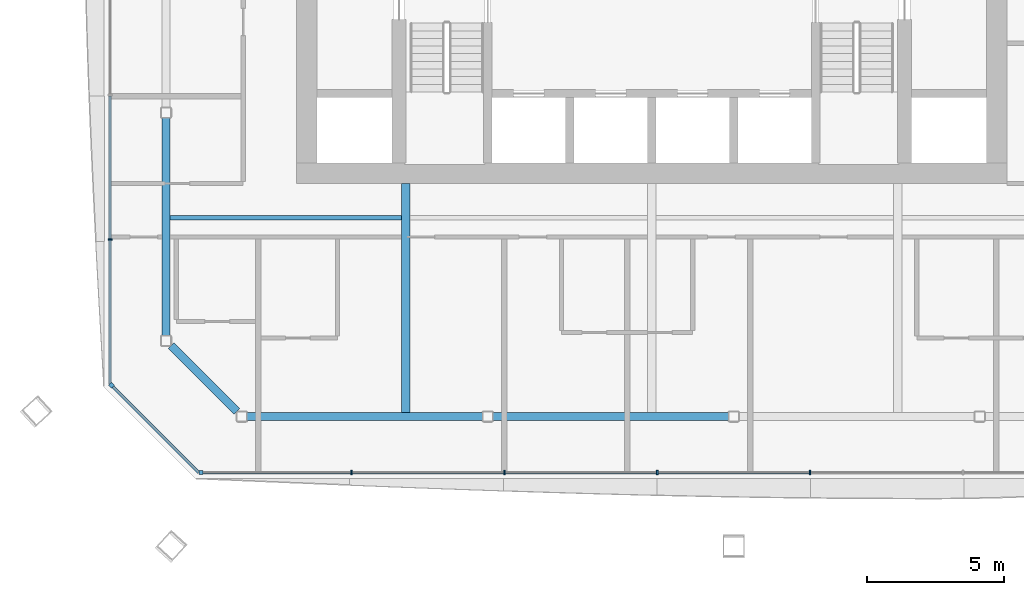
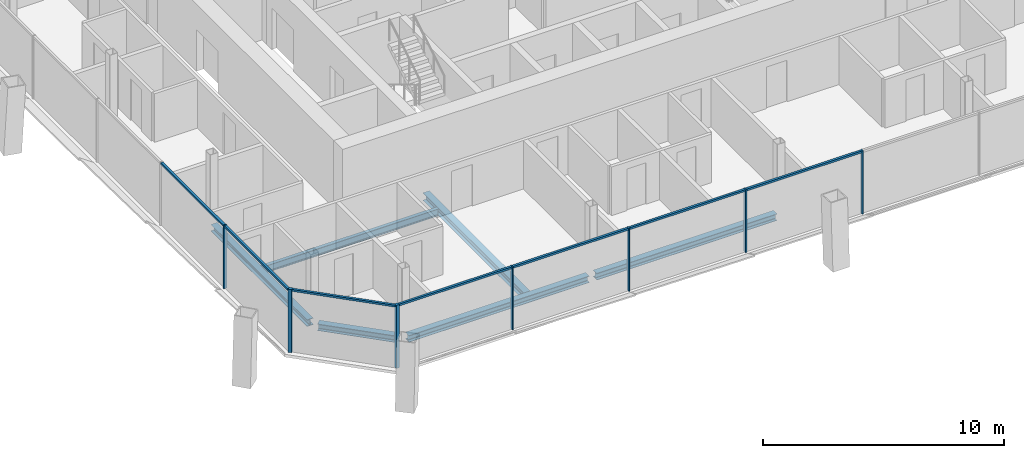
# One storey, part 3 of 21: 14 members, 6 beams, 3 elements without a shape of their own.
"""IFC4 building model written with IfcOpenShell, lengths in metres."""

from ifc_helpers import new_model, si_unit, direction, frame, origin, origin_2d, place, context, subcontext, project, spatial, rectangle, i_section, extrude, material, material_profile, profile_set, type_object, element, aggregate, save


model = new_model("IFC4")

# Units and contexts
model_context = context("Model", 3, precision=1e-05, world=origin(), true_north=direction((0.0, 1.0)))
body_context = subcontext(model_context, "Body", "Model", "MODEL_VIEW")
ifc_project = project(units=[si_unit("LENGTHUNIT", "METRE"), si_unit("AREAUNIT", "SQUARE_METRE"), si_unit("VOLUMEUNIT", "CUBIC_METRE"), si_unit("PLANEANGLEUNIT", "RADIAN"), si_unit("MASSUNIT", "GRAM", prefix="KILO")], contexts=[model_context])

# Site, building, storey
site_placement = place(None, origin())
site = spatial("IfcSite", under=ifc_project, at=site_placement, CompositionType="ELEMENT")
building_placement = place(site_placement, origin())
building = spatial("IfcBuilding", under=site, at=building_placement, Name="Tskaro Facet Tower", CompositionType="ELEMENT")
storey_placement = place(building_placement, frame((0.0, 0.0, 138.5)))
storey = spatial("IfcBuildingStorey", under=building, at=storey_placement, Name="L33", CompositionType="ELEMENT", Elevation=138.5)

# Curtain wall, member
ifc_material_1 = material(Name="Bronze anodised aluminium 6063-T6", Category="aluminium")
curtain_wall_type = type_object("IfcCurtainWallType", Name="Bronze hotel curtain wall (FW2)", PredefinedType="NOTDEFINED", material=ifc_material_1)
curtain_wall_1_placement = place(storey_placement, origin())
curtain_wall_1 = element("IfcCurtainWall", 1, at=curtain_wall_1_placement, inside=storey, type_object=curtain_wall_type, Name="FW2 south facet L33", PredefinedType="NOTDEFINED")
ifc_material_profile_1 = material_profile(ifc_material_1, rectangle(XDim=0.14990234375, YDim=0.14990234375, at=origin_2d()), Name="Corner post 150x150")
ifc_profile_set_1 = profile_set([ifc_material_profile_1], Name="Bronze anodised aluminium 6063-T6")
member_type_1 = type_object("IfcMemberType", Name="FW2 bronze corner post 150x150", PredefinedType="MULLION", material=ifc_profile_set_1)
member_1_placement = place(storey_placement, frame((-16.4990234375, -22.820068359375, 0.0), z_axis=(0.0, 0.0, 1.0), x_axis=(1.0, 0.0, 0.0)))
member_1 = element("IfcMember", 2, at=member_1_placement, type_object=member_type_1, Name="FW2 south corner post", PredefinedType="MULLION", context=body_context, shape_type="SweptSolid", body=[
    extrude(rectangle(XDim=0.14990234375, YDim=0.14990234375, at=origin_2d()), origin(), (0.0, 0.0, 1.0), 3.199951171875),
])

curtain_wall_2_placement = place(storey_placement, origin())
curtain_wall_2 = element("IfcCurtainWall", 3, at=curtain_wall_2_placement, inside=storey, type_object=curtain_wall_type, Name="FW2 south-west facet L33", PredefinedType="NOTDEFINED")
member_2_placement = place(storey_placement, frame((-19.766845703125, -19.626953125, 0.0), z_axis=(0.0, 0.0, 1.0), x_axis=(0.707106781187, -0.707106781187, 0.0)))
member_2 = element("IfcMember", 4, at=member_2_placement, type_object=member_type_1, Name="FW2 south-west corner post", PredefinedType="MULLION", context=body_context, shape_type="SweptSolid", body=[
    extrude(rectangle(XDim=0.14990234375, YDim=0.14990234375, at=origin_2d()), origin(), (0.0, 0.0, 1.0), 3.199951171875),
])

# Member
ifc_material_profile_2 = material_profile(ifc_material_1, rectangle(XDim=0.06005859375, YDim=0.14990234375, at=origin_2d()), Name="Mullion 60x150")
ifc_profile_set_2 = profile_set([ifc_material_profile_2], Name="Bronze anodised aluminium 6063-T6")
member_type_2 = type_object("IfcMemberType", Name="FW2 bronze mullion 60x150", PredefinedType="MULLION", material=ifc_profile_set_2)
member_3_placement = place(storey_placement, frame((-10.9814453125, -22.820068359375, 0.0), z_axis=(0.0, 0.0, 1.0), x_axis=(1.0, 0.0, 0.0)))
member_3 = element("IfcMember", 5, at=member_3_placement, type_object=member_type_2, Name="FW2 south mullion 1", PredefinedType="MULLION", context=body_context, shape_type="SweptSolid", body=[
    extrude(rectangle(XDim=0.06005859375, YDim=0.14990234375, at=origin_2d()), origin(), (0.0, 0.0, 1.0), 3.199951171875),
])

member_4_placement = place(storey_placement, frame((-5.388916015625, -22.820068359375, 0.0), z_axis=(0.0, 0.0, 1.0), x_axis=(1.0, 0.0, 0.0)))
member_4 = element("IfcMember", 6, at=member_4_placement, type_object=member_type_2, Name="FW2 south mullion 2", PredefinedType="MULLION", context=body_context, shape_type="SweptSolid", body=[
    extrude(rectangle(XDim=0.06005859375, YDim=0.14990234375, at=origin_2d()), origin(), (0.0, 0.0, 1.0), 3.199951171875),
])

member_5_placement = place(storey_placement, frame((0.20361328125, -22.820068359375, 0.0), z_axis=(0.0, 0.0, 1.0), x_axis=(1.0, 0.0, 0.0)))
member_5 = element("IfcMember", 7, at=member_5_placement, type_object=member_type_2, Name="FW2 south mullion 3", PredefinedType="MULLION", context=body_context, shape_type="SweptSolid", body=[
    extrude(rectangle(XDim=0.06005859375, YDim=0.14990234375, at=origin_2d()), origin(), (0.0, 0.0, 1.0), 3.199951171875),
])

member_6_placement = place(storey_placement, frame((5.79638671875, -22.820068359375, 0.0), z_axis=(0.0, 0.0, 1.0), x_axis=(1.0, 0.0, 0.0)))
member_6 = element("IfcMember", 8, at=member_6_placement, type_object=member_type_2, Name="FW2 south mullion 4", PredefinedType="MULLION", context=body_context, shape_type="SweptSolid", body=[
    extrude(rectangle(XDim=0.06005859375, YDim=0.14990234375, at=origin_2d()), origin(), (0.0, 0.0, 1.0), 3.199951171875),
])

# Curtain wall, member
curtain_wall_3_placement = place(storey_placement, origin())
curtain_wall_3 = element("IfcCurtainWall", 9, at=curtain_wall_3_placement, inside=storey, type_object=curtain_wall_type, Name="FW2 west facet L33", PredefinedType="NOTDEFINED")
member_7_placement = place(storey_placement, frame((-19.820068359375, -14.288818359375, 0.0), z_axis=(0.0, 0.0, 1.0), x_axis=(0.0, -1.0, 0.0)))
member_7 = element("IfcMember", 10, at=member_7_placement, type_object=member_type_2, Name="FW2 west mullion 6", PredefinedType="MULLION", context=body_context, shape_type="SweptSolid", body=[
    extrude(rectangle(XDim=0.06005859375, YDim=0.14990234375, at=origin_2d()), origin(), (0.0, 0.0, 1.0), 3.199951171875),
])

# Member
ifc_material_profile_3 = material_profile(ifc_material_1, rectangle(XDim=0.110107421875, YDim=0.10009765625, at=origin_2d()), Name="Transom 110x100")
ifc_profile_set_3 = profile_set([ifc_material_profile_3], Name="Bronze anodised aluminium 6063-T6")
member_type_3 = type_object("IfcMemberType", Name="FW2 bronze transom 110x100", PredefinedType="USERDEFINED", material=ifc_profile_set_3)
member_8_placement = place(storey_placement, frame((-16.424072265625, -22.820068359375, 3.14990234375), z_axis=(1.0, 0.0, 0.0), x_axis=(0.0, 1.0, 0.0)))
member_8 = element("IfcMember", 11, at=member_8_placement, type_object=member_type_3, Name="FW2 south transom 1.1", ObjectType="TRANSOM", PredefinedType="USERDEFINED", context=body_context, shape_type="SweptSolid", body=[
    extrude(rectangle(XDim=0.110107421875, YDim=0.10009765625, at=origin_2d()), origin(), (0.0, 0.0, 1.0), 5.41259765625),
])

member_9_placement = place(storey_placement, frame((-10.951416015625, -22.820068359375, 3.14990234375), z_axis=(1.0, 0.0, 0.0), x_axis=(0.0, 1.0, 0.0)))
member_9 = element("IfcMember", 12, at=member_9_placement, type_object=member_type_3, Name="FW2 south transom 2.1", ObjectType="TRANSOM", PredefinedType="USERDEFINED", context=body_context, shape_type="SweptSolid", body=[
    extrude(rectangle(XDim=0.110107421875, YDim=0.10009765625, at=origin_2d()), origin(), (0.0, 0.0, 1.0), 5.532470703125),
])

member_10_placement = place(storey_placement, frame((-5.35888671875, -22.820068359375, 3.14990234375), z_axis=(1.0, 0.0, 0.0), x_axis=(0.0, 1.0, 0.0)))
member_10 = element("IfcMember", 13, at=member_10_placement, type_object=member_type_3, Name="FW2 south transom 3.1", ObjectType="TRANSOM", PredefinedType="USERDEFINED", context=body_context, shape_type="SweptSolid", body=[
    extrude(rectangle(XDim=0.110107421875, YDim=0.10009765625, at=origin_2d()), origin(), (0.0, 0.0, 1.0), 5.53271484375),
])

member_11_placement = place(storey_placement, frame((0.233642578125, -22.820068359375, 3.14990234375), z_axis=(1.0, 0.0, 0.0), x_axis=(0.0, 1.0, 0.0)))
member_11 = element("IfcMember", 14, at=member_11_placement, type_object=member_type_3, Name="FW2 south transom 4.1", ObjectType="TRANSOM", PredefinedType="USERDEFINED", context=body_context, shape_type="SweptSolid", body=[
    extrude(rectangle(XDim=0.110107421875, YDim=0.10009765625, at=origin_2d()), origin(), (0.0, 0.0, 1.0), 5.53271484375),
])

aggregate(curtain_wall_1, [member_1, member_3, member_4, member_5, member_6, member_8, member_9, member_10, member_11])

member_12_placement = place(storey_placement, frame((-19.820068359375, -9.03369140625, 3.14990234375), z_axis=(0.0, -1.0, 0.0), x_axis=(1.0, 0.0, 0.0)))
member_12 = element("IfcMember", 15, at=member_12_placement, type_object=member_type_3, Name="FW2 west transom 6.1", ObjectType="TRANSOM", PredefinedType="USERDEFINED", context=body_context, shape_type="SweptSolid", body=[
    extrude(rectangle(XDim=0.110107421875, YDim=0.10009765625, at=origin_2d()), origin(), (0.0, 0.0, 1.0), 5.22509765625),
])

member_13_placement = place(storey_placement, frame((-19.820068359375, -14.31884765625, 3.14990234375), z_axis=(0.0, -1.0, 0.0), x_axis=(1.0, 0.0, 0.0)))
member_13 = element("IfcMember", 16, at=member_13_placement, type_object=member_type_3, Name="FW2 west transom 7.1", ObjectType="TRANSOM", PredefinedType="USERDEFINED", context=body_context, shape_type="SweptSolid", body=[
    extrude(rectangle(XDim=0.110107421875, YDim=0.10009765625, at=origin_2d()), origin(), (0.0, 0.0, 1.0), 5.255126953125),
])

aggregate(curtain_wall_3, [member_7, member_12, member_13])

member_14_placement = place(storey_placement, frame((-19.7138671875, -19.68017578125, 3.14990234375), z_axis=(0.707106781187, -0.707106781187, 0.0), x_axis=(0.707106781187, 0.707106781187, 0.0)))
member_14 = element("IfcMember", 17, at=member_14_placement, type_object=member_type_3, Name="FW2 south-west transom 1.1", ObjectType="TRANSOM", PredefinedType="USERDEFINED", context=body_context, shape_type="SweptSolid", body=[
    extrude(rectangle(XDim=0.110107421875, YDim=0.10009765625, at=origin_2d()), origin(), (0.0, 0.0, 1.0), 4.4404296875),
])

aggregate(curtain_wall_2, [member_2, member_14])

# Beams
ifc_material_2 = material(Name="Steel S355J2", Category="steel")
ifc_material_profile_4 = material_profile(ifc_material_2, i_section(OverallWidth=0.300048828125, OverallDepth=0.340087890625, WebThickness=0.011962890625, FlangeThickness=0.021484375, FilletRadius=0.027099609375, at=origin_2d()), Name="HE 340 B")
ifc_profile_set_4 = profile_set([ifc_material_profile_4], Name="Steel S355J2")
beam_type_1 = type_object("IfcBeamType", Name="HE 340 B ring beam", PredefinedType="BEAM", material=ifc_profile_set_4)
beam_1_placement = place(storey_placement, frame((-14.819091796875, -20.77392578125, -0.31005859375), z_axis=(1.0, 0.0, 0.0), x_axis=(0.0, 1.0, 0.0)))
element("IfcBeam", 18, at=beam_1_placement, inside=storey, type_object=beam_type_1, Name="HE 340 B EB1-3", PredefinedType="BEAM", context=body_context, shape_type="SweptSolid", body=[
    extrude(i_section(OverallWidth=0.300048828125, OverallDepth=0.340087890625, WebThickness=0.011962890625, FlangeThickness=0.021484375, FilletRadius=0.027099609375, at=origin_2d()), origin(), (0.0, 0.0, 1.0), 8.63916015625),
])
beam_2_placement = place(storey_placement, frame((-5.820068359375, -20.77392578125, -0.31005859375), z_axis=(1.0, 0.0, 0.0), x_axis=(0.0, 1.0, 0.0)))
element("IfcBeam", 19, at=beam_2_placement, inside=storey, type_object=beam_type_1, Name="HE 340 B EB2-3", PredefinedType="BEAM", context=body_context, shape_type="SweptSolid", body=[
    extrude(i_section(OverallWidth=0.300048828125, OverallDepth=0.340087890625, WebThickness=0.011962890625, FlangeThickness=0.021484375, FilletRadius=0.027099609375, at=origin_2d()), origin(), (0.0, 0.0, 1.0), 8.64013671875),
])
beam_3_placement = place(storey_placement, frame((-17.77392578125, -9.8369140625, -0.31005859375), z_axis=(0.0, -1.0, 0.0), x_axis=(1.0, 0.0, 0.0)))
element("IfcBeam", 20, at=beam_3_placement, inside=storey, type_object=beam_type_1, Name="HE 340 B EB19-3", PredefinedType="BEAM", context=body_context, shape_type="SweptSolid", body=[
    extrude(i_section(OverallWidth=0.300048828125, OverallDepth=0.340087890625, WebThickness=0.011962890625, FlangeThickness=0.021484375, FilletRadius=0.027099609375, at=origin_2d()), origin(), (0.0, 0.0, 1.0), 7.982177734375),
])
beam_4_placement = place(storey_placement, frame((-17.588134765625, -18.184814453125, -0.31005859375), z_axis=(0.707106781187, -0.707106781187, 0.0), x_axis=(0.707106781187, 0.707106781187, 0.0)))
element("IfcBeam", 21, at=beam_4_placement, inside=storey, type_object=beam_type_1, Name="HE 340 B EB20-3", PredefinedType="BEAM", context=body_context, shape_type="SweptSolid", body=[
    extrude(i_section(OverallWidth=0.300048828125, OverallDepth=0.340087890625, WebThickness=0.011962890625, FlangeThickness=0.021484375, FilletRadius=0.027099609375, at=origin_2d()), origin(), (0.0, 0.0, 1.0), 3.39892578125),
])
ifc_material_profile_5 = material_profile(ifc_material_2, i_section(OverallWidth=0.300048828125, OverallDepth=0.389892578125, WebThickness=0.010986328125, FlangeThickness=0.01904296875, FilletRadius=0.027099609375, at=origin_2d()), Name="HE 400 A")
ifc_profile_set_5 = profile_set([ifc_material_profile_5], Name="Steel S355J2")
beam_type_2 = type_object("IfcBeamType", Name="HE 400 A girder", PredefinedType="BEAM", material=ifc_profile_set_5)
beam_5_placement = place(storey_placement, frame((-9.0, -20.6240234375, -0.3349609375), z_axis=(0.0, 1.0, 0.0), x_axis=(-1.0, 0.0, 0.0)))
element("IfcBeam", 22, at=beam_5_placement, inside=storey, type_object=beam_type_2, Name="HE 400 A GB3-1-3", PredefinedType="BEAM", context=body_context, shape_type="SweptSolid", body=[
    extrude(i_section(OverallWidth=0.300048828125, OverallDepth=0.389892578125, WebThickness=0.010986328125, FlangeThickness=0.01904296875, FilletRadius=0.027099609375, at=origin_2d()), origin(), (0.0, 0.0, 1.0), 8.3740234375),
])
ifc_material_profile_6 = material_profile(ifc_material_2, i_section(OverallWidth=0.169921875, OverallDepth=0.360107421875, WebThickness=0.008056640625, FlangeThickness=0.0126953125, FilletRadius=0.01806640625, at=origin_2d()), Name="IPE 360")
ifc_profile_set_6 = profile_set([ifc_material_profile_6], Name="Steel S355J2")
beam_type_3 = type_object("IfcBeamType", Name="IPE 360 secondary beam", PredefinedType="BEAM", material=ifc_profile_set_6)
beam_6_placement = place(storey_placement, frame((-17.6240234375, -13.5, -0.320068359375), z_axis=(1.0, 0.0, 0.0), x_axis=(0.0, 1.0, 0.0)))
element("IfcBeam", 23, at=beam_6_placement, inside=storey, type_object=beam_type_3, Name="IPE 360 SB2a-1-3", PredefinedType="BEAM", context=body_context, shape_type="SweptSolid", body=[
    extrude(i_section(OverallWidth=0.169921875, OverallDepth=0.360107421875, WebThickness=0.008056640625, FlangeThickness=0.0126953125, FilletRadius=0.01806640625, at=origin_2d()), origin(), (0.0, 0.0, 1.0), 8.47412109375),
])

save(model, "model.ifc")
